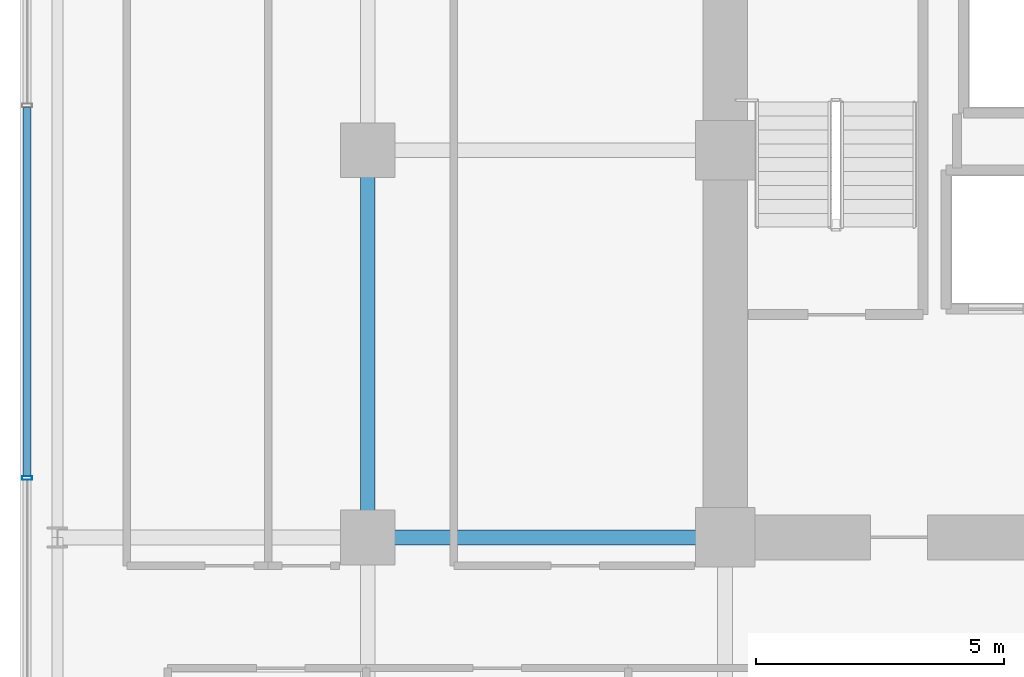
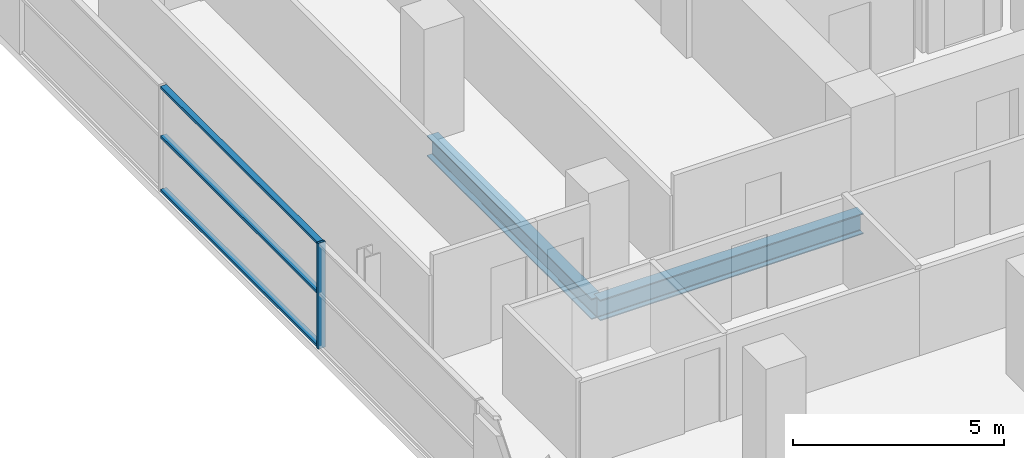
# One storey, part 8 of 26: 4 members, 2 beams, 1 element without a shape of its own.
"""IFC4 building model written with IfcOpenShell, lengths in metres."""

from ifc_helpers import new_model, si_unit, direction, frame, origin, origin_2d, place, context, subcontext, project, spatial, hollow_rectangle, i_section, extrude, source, transform, mapped, material, layer, layer_set, material_profile, profile_set, type_object, element, aggregate, save


model = new_model("IFC4")

# Units and contexts
model_context = context("Model", 3, precision=1e-05, world=origin(), true_north=direction((0.0, 1.0)))
body_context = subcontext(model_context, "Body", "Model", "MODEL_VIEW")
ifc_project = project(units=[si_unit("LENGTHUNIT", "METRE"), si_unit("AREAUNIT", "SQUARE_METRE"), si_unit("VOLUMEUNIT", "CUBIC_METRE"), si_unit("PLANEANGLEUNIT", "RADIAN"), si_unit("MASSUNIT", "GRAM", prefix="KILO")], contexts=[model_context])

# Site, building, storey
site_placement = place(None, origin())
site = spatial("IfcSite", under=ifc_project, at=site_placement, CompositionType="ELEMENT")
building_placement = place(site_placement, origin())
building = spatial("IfcBuilding", under=site, at=building_placement, Name="Zarnakvel Exchange Tower", CompositionType="ELEMENT")
storey_placement = place(building_placement, frame((0.0, 0.0, 70.300048828125)))
storey = spatial("IfcBuildingStorey", under=building, at=storey_placement, Name="L19", CompositionType="ELEMENT", Elevation=70.300048828125)

# Beams
ifc_material_1 = material(Name="Steel S355", Category="steel")
ifc_material_profile_1 = material_profile(ifc_material_1, i_section(OverallWidth=0.300048828125, OverallDepth=0.60009765625, WebThickness=0.015380859375, FlangeThickness=0.030029296875, FilletRadius=0.027099609375, at=origin_2d()))
ifc_profile_set_1 = profile_set([ifc_material_profile_1], Name="Steel S355")
beam_type = type_object("IfcBeamType", Name="G-04", PredefinedType="BEAM", material=ifc_profile_set_1)
beam_1_placement = place(storey_placement, frame((-21.60009765625, -1.199951171875, -0.525146484375), z_axis=(1.0, 0.0, 0.0), x_axis=(0.0, 1.0, 0.0)))
element("IfcBeam", 1, at=beam_1_placement, inside=storey, type_object=beam_type, Name="L19 Tower E-W Frame Beam", PredefinedType="BEAM", context=body_context, shape_type="SweptSolid", body=[
    extrude(i_section(OverallWidth=0.300048828125, OverallDepth=0.60009765625, WebThickness=0.015380859375, FlangeThickness=0.030029296875, FilletRadius=0.027099609375, at=origin_2d()), origin(), (0.0, 0.0, 1.0), 7.2001953125),
])
beam_2_placement = place(storey_placement, frame((-21.60009765625, -1.199951171875, -0.525146484375), z_axis=(0.0, 1.0, 0.0), x_axis=(-1.0, 0.0, 0.0)))
element("IfcBeam", 2, at=beam_2_placement, inside=storey, type_object=beam_type, Name="L19 Tower N-S Frame Beam", PredefinedType="BEAM", context=body_context, shape_type="SweptSolid", body=[
    extrude(i_section(OverallWidth=0.300048828125, OverallDepth=0.60009765625, WebThickness=0.015380859375, FlangeThickness=0.030029296875, FilletRadius=0.027099609375, at=origin_2d()), origin(), (0.0, 0.0, 1.0), 7.800048828125),
])

# Curtain wall, members
ifc_material_2 = material(Name="Architectural Bronze Anodised Aluminium", Category="aluminium")
ifc_layer = layer(ifc_material_2, 0.199951171875)
ifc_layer_set = layer_set([ifc_layer], Name="Architectural Bronze Anodised Aluminium")
curtain_wall_type = type_object("IfcCurtainWallType", Name="CW-04", PredefinedType="NOTDEFINED", material=ifc_layer_set)
curtain_wall_placement = place(storey_placement, origin())
curtain_wall = element("IfcCurtainWall", 3, at=curtain_wall_placement, inside=storey, type_object=curtain_wall_type, Name="L19 Curtain Wall CW-L19-W1 (CW-04)", PredefinedType="NOTDEFINED")
ifc_material_profile_2 = material_profile(ifc_material_2, hollow_rectangle(XDim=0.159912109375, YDim=0.074951171875, WallThickness=0.00390625, at=origin_2d()))
ifc_profile_set_2 = profile_set([ifc_material_profile_2], Name="Architectural Bronze Anodised Aluminium")
member_type_1 = type_object("IfcMemberType", Name="CWT-04", PredefinedType="USERDEFINED", material=ifc_profile_set_2)
shared_shape_1 = source(origin(), body_context, "Body", "SweptSolid", [
    extrude(hollow_rectangle(XDim=0.159912109375, YDim=0.074951171875, WallThickness=0.00390625, at=origin_2d()), origin(), (0.0, 0.0, 1.0), 7.4248046875),
])
member_1_placement = place(storey_placement, frame((-28.4599609375, 0.03759765625, 0.037353515625), z_axis=(0.0, 1.0, 0.0), x_axis=(-1.0, 0.0, 0.0)))
member_1 = element("IfcMember", 4, at=member_1_placement, type_object=member_type_1, Name="CW-04 transom 3.1", ObjectType="TRANSOM", PredefinedType="USERDEFINED", context=body_context, shape_type="MappedRepresentation", body=[
    mapped(shared_shape_1, transform((0.0, 0.0, 0.0), x_axis=(1.0, 0.0, 0.0), y_axis=(0.0, 1.0, 0.0), z_axis=(0.0, 0.0, 1.0), scale=1.0)),
])
member_2_placement = place(storey_placement, frame((-28.4599609375, 0.03759765625, 1.588623046875), z_axis=(0.0, 1.0, 0.0), x_axis=(-1.0, 0.0, 0.0)))
member_2 = element("IfcMember", 5, at=member_2_placement, type_object=member_type_1, Name="CW-04 transom 3.2", ObjectType="TRANSOM", PredefinedType="USERDEFINED", context=body_context, shape_type="MappedRepresentation", body=[
    mapped(shared_shape_1, transform((0.0, 0.0, 0.0), x_axis=(1.0, 0.0, 0.0), y_axis=(0.0, 1.0, 0.0), z_axis=(0.0, 0.0, 1.0), scale=1.0)),
])
member_3_placement = place(storey_placement, frame((-28.4599609375, 0.03759765625, 3.017333984375), z_axis=(0.0, 1.0, 0.0), x_axis=(-1.0, 0.0, 0.0)))
member_3 = element("IfcMember", 6, at=member_3_placement, type_object=member_type_1, Name="CW-04 transom 3.3", ObjectType="TRANSOM", PredefinedType="USERDEFINED", context=body_context, shape_type="MappedRepresentation", body=[
    mapped(shared_shape_1, transform((0.0, 0.0, 0.0), x_axis=(1.0, 0.0, 0.0), y_axis=(0.0, 1.0, 0.0), z_axis=(0.0, 0.0, 1.0), scale=1.0)),
])
ifc_material_profile_3 = material_profile(ifc_material_2, hollow_rectangle(XDim=0.199951171875, YDim=0.074951171875, WallThickness=0.0048828125, at=origin_2d()))
ifc_profile_set_3 = profile_set([ifc_material_profile_3], Name="Architectural Bronze Anodised Aluminium")
member_type_2 = type_object("IfcMemberType", Name="CWM-04", PredefinedType="MULLION", material=ifc_profile_set_3)
shared_shape_2 = source(origin(), body_context, "Body", "SweptSolid", [
    extrude(hollow_rectangle(XDim=0.199951171875, YDim=0.074951171875, WallThickness=0.0048828125, at=origin_2d()), origin(), (0.0, 0.0, 1.0), 3.054931640625),
])
member_4_placement = place(storey_placement, frame((-28.4599609375, 0.0, 0.0), z_axis=(0.0, 0.0, 1.0), x_axis=(-1.0, 0.0, 0.0)))
member_4 = element("IfcMember", 7, at=member_4_placement, type_object=member_type_2, Name="CW-04 mullion 3", PredefinedType="MULLION", context=body_context, shape_type="MappedRepresentation", body=[
    mapped(shared_shape_2, transform((0.0, 0.0, 0.0), x_axis=(1.0, 0.0, 0.0), y_axis=(0.0, 1.0, 0.0), z_axis=(0.0, 0.0, 1.0), scale=1.0)),
])
aggregate(curtain_wall, [member_4, member_1, member_2, member_3])

save(model, "model.ifc")
